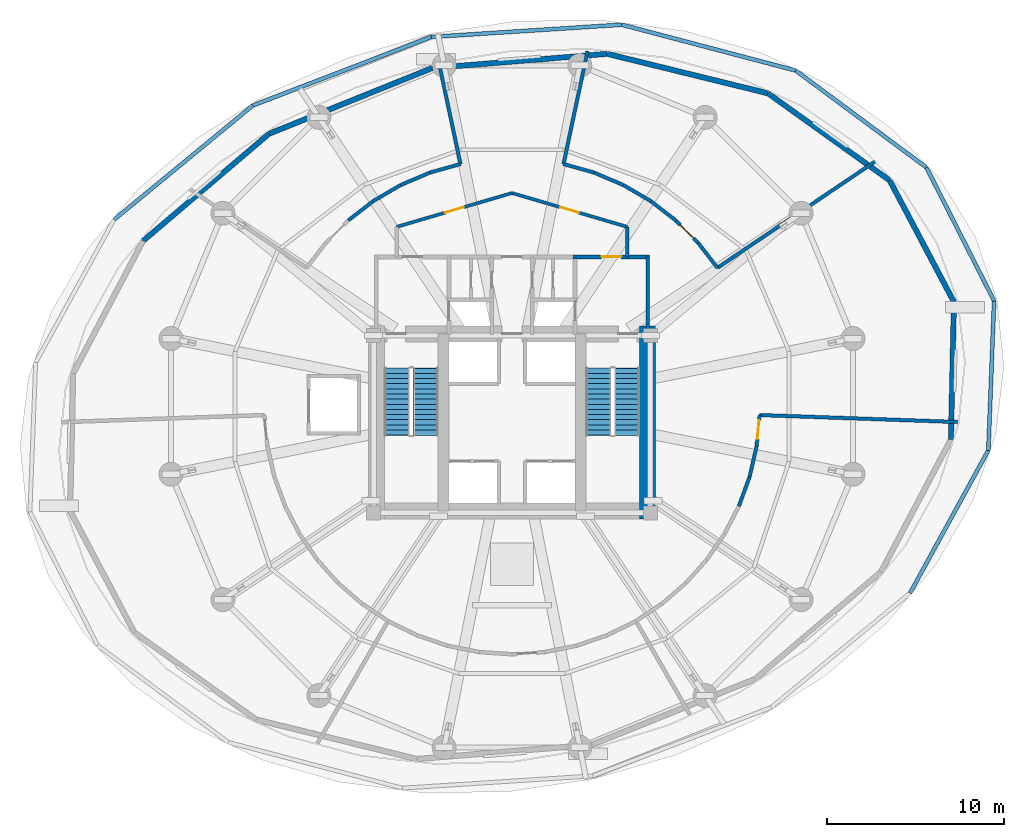
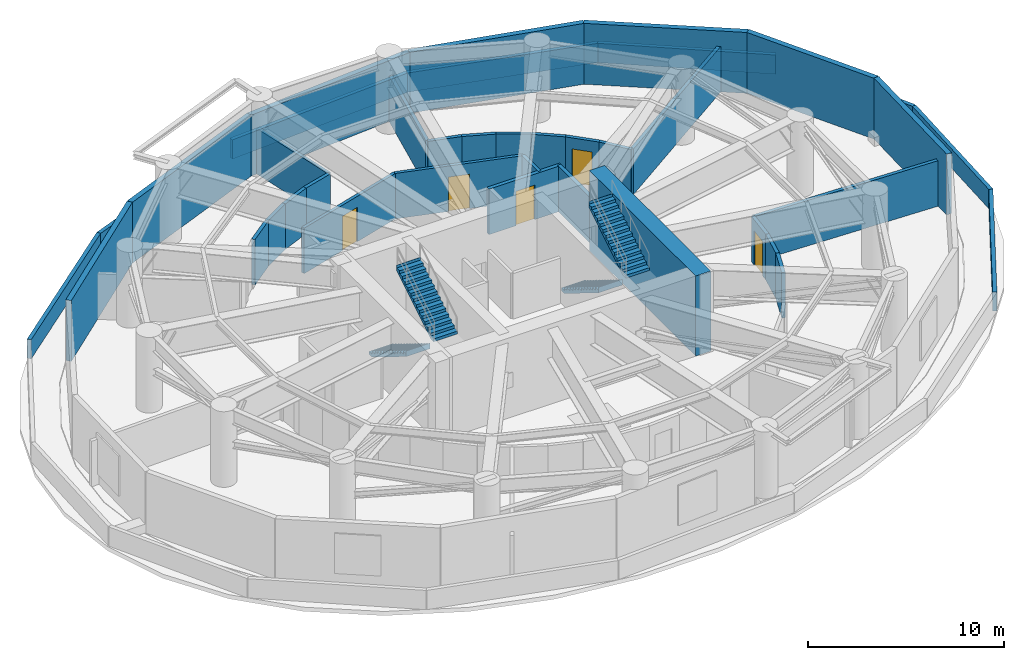
# One storey, part 5 of 8: 38 walls, 5 doors, 4 stair flights, 5 openings, 2 elements without a shape of their own.
"""IFC4 building model written with IfcOpenShell, lengths in metres."""

from ifc_helpers import new_model, si_unit, direction, frame, frame_2d, origin, place, context, subcontext, project, spatial, polyline, rectangle, outline, extrude, material, layer, layer_set, type_object, element, fill, aggregate, save


model = new_model("IFC4")

# Units and contexts
model_context = context("Model", 3, precision=1e-05, world=origin(), true_north=direction((0.0, 1.0)))
body_context = subcontext(model_context, "Body", "Model", "MODEL_VIEW")
ifc_project = project(units=[si_unit("LENGTHUNIT", "METRE"), si_unit("AREAUNIT", "SQUARE_METRE"), si_unit("VOLUMEUNIT", "CUBIC_METRE"), si_unit("PLANEANGLEUNIT", "RADIAN"), si_unit("MASSUNIT", "GRAM", prefix="KILO"), si_unit("THERMODYNAMICTEMPERATUREUNIT", "KELVIN"), si_unit("POWERUNIT", "WATT")], contexts=[model_context])

# Site, building, storey
site_placement = place(None, origin())
site = spatial("IfcSite", under=ifc_project, at=site_placement, CompositionType="ELEMENT")
building_placement = place(site_placement, origin())
building = spatial("IfcBuilding", under=site, at=building_placement, Name="Ocrelia Relay Tower", CompositionType="ELEMENT")
storey_placement = place(building_placement, frame((0.0, 0.0, 88.800048828125)))
storey = spatial("IfcBuildingStorey", under=building, at=storey_placement, Name="L20", CompositionType="ELEMENT", Elevation=88.800048828125)

# Walls
ifc_material_1 = material(Name="Concrete C70/85", Category="concrete")
ifc_layer_1 = layer(ifc_material_1, 0.89990234375, Name="Concrete C70/85")
ifc_layer_set_1 = layer_set([ifc_layer_1], Name="Concrete C70/85")
wall_type_1 = type_object("IfcWallType", Name="CW-CORE-900", PredefinedType="SHEAR", material=ifc_layer_set_1)
wall_1_placement = place(storey_placement, frame((41.637939453125, 19.662109375, 0.0), z_axis=(0.0, 0.0, 1.0), x_axis=(0.0, 1.0, 0.0)))
element("IfcWall", 1, at=wall_1_placement, inside=storey, type_object=wall_type_1, Name="L20 Core Shear Wall E", PredefinedType="SHEAR", context=body_context, shape_type="SweptSolid", body=[
    extrude(rectangle(XDim=10.8759765625, YDim=0.89990234375, at=frame_2d((5.43798828125, 0.0))), origin(), (0.0, 0.0, 1.0), 5.0),
])
ifc_material_2 = material(Name="Gypsum Fireboard Partition EI60", Category="gypsum")
ifc_layer_2 = layer(ifc_material_2, 0.179931640625, Name="Gypsum Fireboard Partition EI60")
ifc_layer_set_2 = layer_set([ifc_layer_2], Name="Gypsum Fireboard Partition EI60")
wall_type_2 = type_object("IfcWallType", Name="W-CORR-EI60-180", PredefinedType="PARTITIONING", material=ifc_layer_set_2)
wall_2_placement = place(storey_placement, frame((40.5, 36.122802734375, 0.0), z_axis=(0.0, 0.0, 1.0), x_axis=(0.0, -1.0, 0.0)))
element("IfcWall", 2, at=wall_2_placement, inside=storey, type_object=wall_type_2, Name="L20 Smoke Lobby East Return", PredefinedType="PARTITIONING", context=body_context, shape_type="SweptSolid", body=[
    extrude(rectangle(XDim=1.69287109375, YDim=0.179931640625, at=frame_2d((0.846435546875, 0.0))), origin(), (0.0, 0.0, 1.0), 2.83984375),
])

# Wall, opening, door
wall_3_placement = place(storey_placement, frame((27.5, 36.122802734375, 0.0), z_axis=(0.0, 0.0, 1.0), x_axis=(0.959546654541, 0.281549671923, 0.0)))
wall_3 = element("IfcWall", 3, at=wall_3_placement, inside=storey, type_object=wall_type_2, Name="L20 North Smoke Lobby W Screen Wall", PredefinedType="PARTITIONING", context=body_context, shape_type="SweptSolid", body=[
    extrude(rectangle(XDim=6.77392578125, YDim=0.179931640625, at=frame_2d((3.386962890625, 0.0))), origin(), (0.0, 0.0, 1.0), 2.83984375),
])
opening_1_placement = place(wall_3_placement, frame((2.8369140625, 0.0, 0.0)))
opening_1 = element("IfcOpeningElement", 4, at=opening_1_placement, cuts=wall_3, Name="Opening D-FD60", PredefinedType="OPENING", context=body_context, shape_type="SweptSolid", body=[
    extrude(rectangle(XDim=1.10009765625, YDim=2.14990234375, at=frame_2d((0.550048828125, 1.074951171875))), frame((0.0, 0.10009765625, 0.0), z_axis=(0.0, -1.0, 0.0), x_axis=(1.0, 0.0, 0.0)), (0.0, 0.0, 1.0), 0.199951171875),
])
ifc_material_3 = material(Name="Timber-core 60-min acoustic fire door", Category="wood")
door_type_1 = type_object("IfcDoorType", Name="DR-LOBBY-FD60-1100", OperationType="NOTDEFINED", PredefinedType="DOOR", material=ifc_material_3)
door_1_placement = place(opening_1_placement, origin())
door_1 = element("IfcDoor", 5, at=door_1_placement, inside=storey, type_object=door_type_1, Name="L20 North Smoke Lobby W Fire Door", OperationType="SINGLE_SWING_RIGHT", OverallHeight=2.14990234375, OverallWidth=1.10009765625, PredefinedType="DOOR", context=body_context, shape_type="SweptSolid", body=[
    extrude(rectangle(XDim=1.10009765625, YDim=2.14990234375, at=frame_2d((0.550048828125, 1.074951171875))), frame((0.0, 0.02490234375, 0.0), z_axis=(0.0, -1.0, 0.0), x_axis=(1.0, 0.0, 0.0)), (0.0, 0.0, 1.0), 0.050048828125),
])
fill(opening_1, door_1)

wall_4_placement = place(storey_placement, frame((34.0, 38.030029296875, 0.0), z_axis=(0.0, 0.0, 1.0), x_axis=(0.959546654541, -0.281549671923, 0.0)))
wall_4 = element("IfcWall", 6, at=wall_4_placement, inside=storey, type_object=wall_type_2, Name="L20 North Smoke Lobby E Screen Wall", PredefinedType="PARTITIONING", context=body_context, shape_type="SweptSolid", body=[
    extrude(rectangle(XDim=6.77392578125, YDim=0.179931640625, at=frame_2d((3.386962890625, 0.0))), origin(), (0.0, 0.0, 1.0), 2.83984375),
])
opening_2_placement = place(wall_4_placement, frame((2.8369140625, 0.0, 0.0)))
opening_2 = element("IfcOpeningElement", 7, at=opening_2_placement, cuts=wall_4, Name="Opening D-FD60", PredefinedType="OPENING", context=body_context, shape_type="SweptSolid", body=[
    extrude(rectangle(XDim=1.10009765625, YDim=2.14990234375, at=frame_2d((0.550048828125, 1.074951171875))), frame((0.0, 0.10009765625, 0.0), z_axis=(0.0, -1.0, 0.0), x_axis=(1.0, 0.0, 0.0)), (0.0, 0.0, 1.0), 0.199951171875),
])
door_2_placement = place(opening_2_placement, origin())
door_2 = element("IfcDoor", 8, at=door_2_placement, inside=storey, type_object=door_type_1, Name="L20 North Smoke Lobby E Fire Door", OperationType="SINGLE_SWING_LEFT", OverallHeight=2.14990234375, OverallWidth=1.10009765625, PredefinedType="DOOR", context=body_context, shape_type="SweptSolid", body=[
    extrude(rectangle(XDim=1.10009765625, YDim=2.14990234375, at=frame_2d((0.550048828125, 1.074951171875))), frame((0.0, 0.02490234375, 0.0), z_axis=(0.0, -1.0, 0.0), x_axis=(1.0, 0.0, 0.0)), (0.0, 0.0, 1.0), 0.050048828125),
])
fill(opening_2, door_2)

# Walls
ifc_material_4 = material(Name="Precast concrete C40/50 with oxide terracotta", Category="masonry")
ifc_layer_3 = layer(ifc_material_4, 0.300048828125, Name="Precast concrete C40/50 with oxide terracotta")
ifc_layer_set_3 = layer_set([ifc_layer_3], Name="Precast concrete C40/50 with oxide terracotta")
wall_type_3 = type_object("IfcWallType", Name="W-EXT-TERR-300", PredefinedType="SOLIDWALL", material=ifc_layer_set_3)
wall_5_placement = place(storey_placement, frame((58.913330078125, 31.889404296875, 0.0), z_axis=(0.0, 0.0, 1.0), x_axis=(-0.46736220169, 0.884065932175, 0.0)))
element("IfcWall", 9, at=wall_5_placement, inside=storey, type_object=wall_type_3, Name="L20 Plant Terracotta Wall 01", PredefinedType="SOLIDWALL", context=body_context, shape_type="SweptSolid", body=[
    extrude(rectangle(XDim=7.74951171875, YDim=0.300048828125, at=frame_2d((3.874755859375, 0.0))), origin(), (0.0, 0.0, 1.0), 3.800048828125),
])
wall_6_placement = place(storey_placement, frame((55.29150390625, 38.740478515625, 0.0), z_axis=(0.0, 0.0, 1.0), x_axis=(-0.813236717207, 0.581933021736, 0.0)))
element("IfcWall", 10, at=wall_6_placement, inside=storey, type_object=wall_type_3, Name="L20 Plant Terracotta Wall 02", PredefinedType="SOLIDWALL", context=body_context, shape_type="SweptSolid", body=[
    extrude(rectangle(XDim=8.439697265625, YDim=0.300048828125, at=frame_2d((4.2197265625, 0.0))), origin(), (0.0, 0.0, 1.0), 3.800048828125),
])
wall_7_placement = place(storey_placement, frame((48.427978515625, 43.65185546875, 0.0), z_axis=(0.0, 0.0, 1.0), x_axis=(-0.971157582667, 0.23843856573, 0.0)))
element("IfcWall", 11, at=wall_7_placement, inside=storey, type_object=wall_type_3, Name="L20 Plant Terracotta Wall 03", PredefinedType="SOLIDWALL", context=body_context, shape_type="SweptSolid", body=[
    extrude(rectangle(XDim=9.328857421875, YDim=0.300048828125, at=frame_2d((4.66455078125, 0.0))), origin(), (0.0, 0.0, 1.0), 3.800048828125),
])
for number, where, z_axis, x_axis, name in (
    (12, (39.3681640625, 45.876220703125, 0.0), (0.0, 0.0, 1.0), (-0.996719708912, -0.080930969765, 0.0), "L20 Plant Terracotta Wall 04"),
    (13, (29.490966796875, 45.07421875, 0.0), (0.0, 0.0, 1.0), (-0.92745373758, -0.3739379155, 0.0), "L20 Plant Terracotta Wall 05"),
):
    element("IfcWall", number, at=place(storey_placement, frame(where, z_axis=z_axis, x_axis=x_axis)), inside=storey, type_object=wall_type_3, Name=name, PredefinedType="SOLIDWALL", context=body_context, shape_type="SweptSolid", body=[
        extrude(rectangle(XDim=9.90966796875, YDim=0.300048828125, at=frame_2d((4.954833984375, 0.0))), origin(), (0.0, 0.0, 1.0), 3.800048828125),
    ])
wall_8_placement = place(storey_placement, frame((20.30029296875, 41.36865234375, 0.0), z_axis=(0.0, 0.0, 1.0), x_axis=(-0.761612488975, -0.64803272806, 0.0)))
element("IfcWall", 14, at=wall_8_placement, inside=storey, type_object=wall_type_3, Name="L20 Plant Terracotta Wall 06", PredefinedType="SOLIDWALL", context=body_context, shape_type="SweptSolid", body=[
    extrude(rectangle(XDim=9.328857421875, YDim=0.300048828125, at=frame_2d((4.66455078125, 0.0))), origin(), (0.0, 0.0, 1.0), 3.800048828125),
])
wall_9_placement = place(storey_placement, frame((58.742431640625, 24.1416015625, 0.0), z_axis=(0.0, 0.0, 1.0), x_axis=(0.022052301021, 0.999756818441, 0.0)))
element("IfcWall", 15, at=wall_9_placement, inside=storey, type_object=wall_type_3, Name="L20 Plant Terracotta Wall 16", PredefinedType="SOLIDWALL", context=body_context, shape_type="SweptSolid", body=[
    extrude(rectangle(XDim=7.749755859375, YDim=0.300048828125, at=frame_2d((3.875, 0.0))), origin(), (0.0, 0.0, 1.0), 3.800048828125),
])
ifc_material_5 = material(Name="Concrete C50/60", Category="concrete")
ifc_layer_4 = layer(ifc_material_5, 0.219970703125, Name="Concrete C50/60")
ifc_layer_set_4 = layer_set([ifc_layer_4], Name="Concrete C50/60")
wall_type_4 = type_object("IfcWallType", Name="W-FFL-EI120-220", PredefinedType="SOLIDWALL", material=ifc_layer_set_4)
wall_10_placement = place(storey_placement, frame((41.64990234375, 30.050048828125, 0.0), z_axis=(0.0, 0.0, 1.0), x_axis=(0.0, 1.0, 0.0)))
element("IfcWall", 16, at=wall_10_placement, inside=storey, type_object=wall_type_4, Name="L20 E Fire Service Lift Lobby East Wall", PredefinedType="SOLIDWALL", context=body_context, shape_type="SweptSolid", body=[
    extrude(rectangle(XDim=4.3798828125, YDim=0.219970703125, at=frame_2d((2.18994140625, 0.0))), origin(), (0.0, 0.0, 1.0), 2.83984375),
])

# Wall, opening, door
wall_11_placement = place(storey_placement, frame((37.449951171875, 34.429931640625, 0.0), z_axis=(0.0, 0.0, 1.0), x_axis=(1.0, 0.0, 0.0)))
wall_11 = element("IfcWall", 17, at=wall_11_placement, inside=storey, type_object=wall_type_4, Name="L20 E Fire Service Lift Lobby North Wall", PredefinedType="SOLIDWALL", context=body_context, shape_type="SweptSolid", body=[
    extrude(rectangle(XDim=4.31005859375, YDim=0.219970703125, at=frame_2d((2.155029296875, 0.0))), origin(), (0.0, 0.0, 1.0), 2.83984375),
])
opening_3_placement = place(wall_11_placement, frame((1.60009765625, 0.0, 0.0)))
opening_3 = element("IfcOpeningElement", 18, at=opening_3_placement, cuts=wall_11, Name="Opening D-FD60", PredefinedType="OPENING", context=body_context, shape_type="SweptSolid", body=[
    extrude(rectangle(XDim=1.10009765625, YDim=2.14990234375, at=frame_2d((0.550048828125, 1.074951171875))), frame((0.0, 0.1201171875, 0.0), z_axis=(0.0, -1.0, 0.0), x_axis=(1.0, 0.0, 0.0)), (0.0, 0.0, 1.0), 0.239990234375),
])
door_3_placement = place(opening_3_placement, origin())
door_3 = element("IfcDoor", 19, at=door_3_placement, inside=storey, type_object=door_type_1, Name="L20 E Fire Service Lift Lobby Exit Door", OperationType="SINGLE_SWING_LEFT", OverallHeight=2.14990234375, OverallWidth=1.10009765625, PredefinedType="DOOR", context=body_context, shape_type="SweptSolid", body=[
    extrude(rectangle(XDim=1.10009765625, YDim=2.14990234375, at=frame_2d((0.550048828125, 1.074951171875))), frame((0.0, 0.02490234375, 0.0), z_axis=(0.0, -1.0, 0.0), x_axis=(1.0, 0.0, 0.0)), (0.0, 0.0, 1.0), 0.050048828125),
])
fill(opening_3, door_3)

# Walls
ifc_layer_5 = layer(ifc_material_4, 0.219970703125, Name="Precast concrete C40/50 with oxide terracotta")
ifc_layer_set_5 = layer_set([ifc_layer_5], Name="Precast concrete C40/50 with oxide terracotta")
wall_type_5 = type_object("IfcWallType", Name="W-PARAPET-220", PredefinedType="PARAPET", material=ifc_layer_set_5)
wall_12_placement = place(storey_placement, frame((61.17626953125, 31.9501953125, 0.0), z_axis=(0.0, 0.0, 1.0), x_axis=(-0.45244257473, 0.891793539207, 0.0)))
element("IfcWall", 20, at=wall_12_placement, inside=storey, type_object=wall_type_5, Name="L20 Setback Green Roof Parapet 01", PredefinedType="PARAPET", context=body_context, shape_type="SweptSolid", body=[
    extrude(rectangle(XDim=8.42919921875, YDim=0.219970703125, at=frame_2d((4.214599609375, 0.0))), origin(), (0.0, 0.0, 1.0), 1.199951171875),
])
wall_13_placement = place(storey_placement, frame((57.362548828125, 39.46728515625, 0.0), z_axis=(0.0, 0.0, 1.0), x_axis=(-0.803178103792, 0.595738981089, 0.0)))
element("IfcWall", 21, at=wall_13_placement, inside=storey, type_object=wall_type_5, Name="L20 Setback Green Roof Parapet 02", PredefinedType="PARAPET", context=body_context, shape_type="SweptSolid", body=[
    extrude(rectangle(XDim=9.176513671875, YDim=0.219970703125, at=frame_2d((4.58837890625, 0.0))), origin(), (0.0, 0.0, 1.0), 1.199951171875),
])
wall_14_placement = place(storey_placement, frame((49.9921875, 44.93408203125, 0.0), z_axis=(0.0, 0.0, 1.0), x_axis=(-0.966979346958, 0.254854747959, 0.0)))
element("IfcWall", 22, at=wall_14_placement, inside=storey, type_object=wall_type_5, Name="L20 Setback Green Roof Parapet 03", PredefinedType="PARAPET", context=body_context, shape_type="SweptSolid", body=[
    extrude(rectangle(XDim=10.139892578125, YDim=0.219970703125, at=frame_2d((5.06982421875, 0.0))), origin(), (0.0, 0.0, 1.0), 1.199951171875),
])
wall_15_placement = place(storey_placement, frame((40.18701171875, 47.518310546875, 0.0), z_axis=(0.0, 0.0, 1.0), x_axis=(-0.997935492104, -0.064224244642, 0.0)))
element("IfcWall", 23, at=wall_15_placement, inside=storey, type_object=wall_type_5, Name="L20 Setback Green Roof Parapet 04", PredefinedType="PARAPET", context=body_context, shape_type="SweptSolid", body=[
    extrude(rectangle(XDim=10.769287109375, YDim=0.219970703125, at=frame_2d((5.384765625, 0.0))), origin(), (0.0, 0.0, 1.0), 1.199951171875),
])
wall_16_placement = place(storey_placement, frame((29.43994140625, 46.82666015625, 0.0), z_axis=(0.0, 0.0, 1.0), x_axis=(-0.933474089554, -0.358644844005, 0.0)))
element("IfcWall", 24, at=wall_16_placement, inside=storey, type_object=wall_type_5, Name="L20 Setback Green Roof Parapet 05", PredefinedType="PARAPET", context=body_context, shape_type="SweptSolid", body=[
    extrude(rectangle(XDim=10.76904296875, YDim=0.219970703125, at=frame_2d((5.384521484375, 0.0))), origin(), (0.0, 0.0, 1.0), 1.199951171875),
])
wall_17_placement = place(storey_placement, frame((19.38720703125, 42.96435546875, 0.0), z_axis=(0.0, 0.0, 1.0), x_axis=(-0.772008765816, -0.635611882758, 0.0)))
element("IfcWall", 25, at=wall_17_placement, inside=storey, type_object=wall_type_5, Name="L20 Setback Green Roof Parapet 06", PredefinedType="PARAPET", context=body_context, shape_type="SweptSolid", body=[
    extrude(rectangle(XDim=10.139892578125, YDim=0.219970703125, at=frame_2d((5.06982421875, 0.0))), origin(), (0.0, 0.0, 1.0), 1.199951171875),
])
wall_18_placement = place(storey_placement, frame((56.44091796875, 15.480712890625, 0.0), z_axis=(0.0, 0.0, 1.0), x_axis=(0.480744856235, 0.876860526654, 0.0)))
element("IfcWall", 26, at=wall_18_placement, inside=storey, type_object=wall_type_5, Name="L20 Setback Green Roof Parapet 15", PredefinedType="PARAPET", context=body_context, shape_type="SweptSolid", body=[
    extrude(rectangle(XDim=9.1767578125, YDim=0.219970703125, at=frame_2d((4.58837890625, 0.0))), origin(), (0.0, 0.0, 1.0), 1.199951171875),
])
wall_19_placement = place(storey_placement, frame((60.8525390625, 23.52734375, 0.0), z_axis=(0.0, 0.0, 1.0), x_axis=(0.038406425467, 0.999262201068, 0.0)))
element("IfcWall", 27, at=wall_19_placement, inside=storey, type_object=wall_type_5, Name="L20 Setback Green Roof Parapet 16", PredefinedType="PARAPET", context=body_context, shape_type="SweptSolid", body=[
    extrude(rectangle(XDim=8.428955078125, YDim=0.219970703125, at=frame_2d((4.21435546875, 0.0))), origin(), (0.0, 0.0, 1.0), 1.199951171875),
])
ifc_layer_6 = layer(ifc_material_5, 0.199951171875, Name="Concrete C50/60")
ifc_layer_set_6 = layer_set([ifc_layer_6], Name="Concrete C50/60")
wall_type_6 = type_object("IfcWallType", Name="W-SHAFT-EI120-200", PredefinedType="SOLIDWALL", material=ifc_layer_set_6)
wall_20_placement = place(storey_placement, frame((24.773681640625, 36.48974609375, 0.0), z_axis=(0.0, 0.0, 1.0), x_axis=(0.791510311229, 0.611155812554, 0.0)))
element("IfcWall", 28, at=wall_20_placement, inside=storey, type_object=wall_type_6, Name="L20 West Area of Refuge Inner Wall 9", PredefinedType="SOLIDWALL", context=body_context, shape_type="SweptSolid", body=[
    extrude(rectangle(XDim=1.786865234375, YDim=0.199951171875, at=frame_2d((0.8935546875, 0.0))), origin(), (0.0, 0.0, 1.0), 2.83984375),
])
wall_21_placement = place(storey_placement, frame((26.18798828125, 37.581787109375, 0.0), z_axis=(0.0, 0.0, 1.0), x_axis=(0.863178614226, 0.50489868285, 0.0)))
element("IfcWall", 29, at=wall_21_placement, inside=storey, type_object=wall_type_6, Name="L20 West Area of Refuge Inner Wall 10", PredefinedType="SOLIDWALL", context=body_context, shape_type="SweptSolid", body=[
    extrude(rectangle(XDim=1.78662109375, YDim=0.199951171875, at=frame_2d((0.893310546875, 0.0))), origin(), (0.0, 0.0, 1.0), 2.83984375),
])
for number, where, z_axis, x_axis, name in (
    (30, (27.730224609375, 38.48388671875, 0.0), (0.0, 0.0, 1.0), (0.920489463147, 0.390767383791, 0.0), "L20 West Area of Refuge Inner Wall 11"),
    (31, (29.375, 39.18212890625, 0.0), (0.0, 0.0, 1.0), (0.962827672802, 0.270116405439, 0.0), "L20 West Area of Refuge Inner Wall 12"),
):
    element("IfcWall", number, at=place(storey_placement, frame(where, z_axis=z_axis, x_axis=x_axis)), inside=storey, type_object=wall_type_6, Name=name, PredefinedType="SOLIDWALL", context=body_context, shape_type="SweptSolid", body=[
        extrude(rectangle(XDim=1.786865234375, YDim=0.199951171875, at=frame_2d((0.8935546875, 0.0))), origin(), (0.0, 0.0, 1.0), 2.83984375),
    ])
wall_22_placement = place(storey_placement, frame((31.095458984375, 39.664794921875, 0.0), z_axis=(0.0, 0.0, 1.0), x_axis=(-0.207898093326, 0.978150490871, 0.0)))
element("IfcWall", 32, at=wall_22_placement, inside=storey, type_object=wall_type_6, Name="L20 West Area of Refuge Radial Wall R0", PredefinedType="SOLIDWALL", context=body_context, shape_type="SweptSolid", body=[
    extrude(rectangle(XDim=5.715576171875, YDim=0.199951171875, at=frame_2d((2.85791015625, 0.0))), origin(), (0.0, 0.0, 1.0), 2.83984375),
])
for number, where, z_axis, x_axis, name in (
    (33, (36.904541015625, 39.664794921875, 0.0), (0.0, 0.0, 1.0), (0.962827672802, -0.270116405439, 0.0), "L20 East Area of Refuge Inner Wall 7"),
    (34, (38.625, 39.18212890625, 0.0), (0.0, 0.0, 1.0), (0.920489463147, -0.390767383791, 0.0), "L20 East Area of Refuge Inner Wall 8"),
):
    element("IfcWall", number, at=place(storey_placement, frame(where, z_axis=z_axis, x_axis=x_axis)), inside=storey, type_object=wall_type_6, Name=name, PredefinedType="SOLIDWALL", context=body_context, shape_type="SweptSolid", body=[
        extrude(rectangle(XDim=1.786865234375, YDim=0.199951171875, at=frame_2d((0.8935546875, 0.0))), origin(), (0.0, 0.0, 1.0), 2.83984375),
    ])
wall_23_placement = place(storey_placement, frame((40.269775390625, 38.48388671875, 0.0), z_axis=(0.0, 0.0, 1.0), x_axis=(0.863178614226, -0.50489868285, 0.0)))
element("IfcWall", 35, at=wall_23_placement, inside=storey, type_object=wall_type_6, Name="L20 East Area of Refuge Inner Wall 9", PredefinedType="SOLIDWALL", context=body_context, shape_type="SweptSolid", body=[
    extrude(rectangle(XDim=1.78662109375, YDim=0.199951171875, at=frame_2d((0.893310546875, 0.0))), origin(), (0.0, 0.0, 1.0), 2.83984375),
])
wall_24_placement = place(storey_placement, frame((41.81201171875, 37.581787109375, 0.0), z_axis=(0.0, 0.0, 1.0), x_axis=(0.791510311229, -0.611155812554, 0.0)))
element("IfcWall", 36, at=wall_24_placement, inside=storey, type_object=wall_type_6, Name="L20 East Area of Refuge Inner Wall 10", PredefinedType="SOLIDWALL", context=body_context, shape_type="SweptSolid", body=[
    extrude(rectangle(XDim=1.786865234375, YDim=0.199951171875, at=frame_2d((0.8935546875, 0.0))), origin(), (0.0, 0.0, 1.0), 2.83984375),
])

# Wall, opening, door
wall_25_placement = place(storey_placement, frame((43.226318359375, 36.48974609375, 0.0), z_axis=(0.0, 0.0, 1.0), x_axis=(0.707106781187, -0.707106781187, 0.0)))
wall_25 = element("IfcWall", 37, at=wall_25_placement, inside=storey, type_object=wall_type_6, Name="L20 East Area of Refuge Inner Wall 11", PredefinedType="SOLIDWALL", context=body_context, shape_type="SweptSolid", body=[
    extrude(rectangle(XDim=1.786865234375, YDim=0.199951171875, at=frame_2d((0.8935546875, 0.0))), origin(), (0.0, 0.0, 1.0), 2.83984375),
])
opening_4_placement = place(wall_25_placement, frame((0.368408203125, 0.0, 0.0)))
opening_4 = element("IfcOpeningElement", 38, at=opening_4_placement, cuts=wall_25, Name="Opening D-FD90", PredefinedType="OPENING", context=body_context, shape_type="SweptSolid", body=[
    extrude(rectangle(XDim=1.050048828125, YDim=2.14990234375, at=frame_2d((0.52490234375, 1.074951171875))), frame((0.0, 0.10986328125, 0.0), z_axis=(0.0, -1.0, 0.0), x_axis=(1.0, 0.0, 0.0)), (0.0, 0.0, 1.0), 0.219970703125),
])
ifc_material_6 = material(Name="Steel S355 90-min fire door", Category="steel")
door_type_2 = type_object("IfcDoorType", Name="DR-STAIR-FD90-1050", OperationType="NOTDEFINED", PredefinedType="DOOR", material=ifc_material_6)
door_4_placement = place(opening_4_placement, origin())
door_4 = element("IfcDoor", 39, at=door_4_placement, inside=storey, type_object=door_type_2, Name="L20 East Area of Refuge Fire Door", OperationType="SINGLE_SWING_LEFT", OverallHeight=2.14990234375, OverallWidth=1.050048828125, PredefinedType="DOOR", context=body_context, shape_type="SweptSolid", body=[
    extrude(rectangle(XDim=1.050048828125, YDim=2.14990234375, at=frame_2d((0.52490234375, 1.074951171875))), frame((0.0, 0.02490234375, 0.0), z_axis=(0.0, -1.0, 0.0), x_axis=(1.0, 0.0, 0.0)), (0.0, 0.0, 1.0), 0.050048828125),
])
fill(opening_4, door_4)

# Walls
wall_26_placement = place(storey_placement, frame((44.48974609375, 35.226318359375, 0.0), z_axis=(0.0, 0.0, 1.0), x_axis=(0.611155812554, -0.791510311229, 0.0)))
element("IfcWall", 40, at=wall_26_placement, inside=storey, type_object=wall_type_6, Name="L20 East Area of Refuge Inner Wall 12", PredefinedType="SOLIDWALL", context=body_context, shape_type="SweptSolid", body=[
    extrude(rectangle(XDim=1.786865234375, YDim=0.199951171875, at=frame_2d((0.8935546875, 0.0))), origin(), (0.0, 0.0, 1.0), 2.83984375),
])
wall_27_placement = place(storey_placement, frame((45.581787109375, 33.81201171875, 0.0), z_axis=(0.0, 0.0, 1.0), x_axis=(0.829025681689, 0.559210532001, 0.0)))
element("IfcWall", 41, at=wall_27_placement, inside=storey, type_object=wall_type_6, Name="L20 East Area of Refuge Radial Wall R0", PredefinedType="SOLIDWALL", context=body_context, shape_type="SweptSolid", body=[
    extrude(rectangle(XDim=10.710693359375, YDim=0.199951171875, at=frame_2d((5.35546875, 0.0))), origin(), (0.0, 0.0, 1.0), 2.83984375),
])
wall_28_placement = place(storey_placement, frame((36.904541015625, 39.664794921875, 0.0), z_axis=(0.0, 0.0, 1.0), x_axis=(0.207914403143, 0.978147024207, 0.0)))
element("IfcWall", 42, at=wall_28_placement, inside=storey, type_object=wall_type_6, Name="L20 East Area of Refuge Radial Wall R1", PredefinedType="SOLIDWALL", context=body_context, shape_type="SweptSolid", body=[
    extrude(rectangle(XDim=6.50634765625, YDim=0.199951171875, at=frame_2d((3.253173828125, 0.0))), origin(), (0.0, 0.0, 1.0), 2.83984375),
])

# Wall, opening, door
wall_29_placement = place(storey_placement, frame((47.96142578125, 25.512451171875, 0.0), z_axis=(0.0, 0.0, 1.0), x_axis=(-0.09798475659, -0.99518791566, 0.0)))
wall_29 = element("IfcWall", 43, at=wall_29_placement, inside=storey, type_object=wall_type_6, Name="L20 Electrical Switchgear Plant Room Inner Wall 9", PredefinedType="SOLIDWALL", context=body_context, shape_type="SweptSolid", body=[
    extrude(rectangle(XDim=1.7666015625, YDim=0.199951171875, at=frame_2d((0.88330078125, 0.0))), origin(), (0.0, 0.0, 1.0), 2.83984375),
])
opening_5_placement = place(wall_29_placement, frame((0.30419921875, 0.0, 0.0)))
opening_5 = element("IfcOpeningElement", 44, at=opening_5_placement, cuts=wall_29, Name="Opening D-FD90", PredefinedType="OPENING", context=body_context, shape_type="SweptSolid", body=[
    extrude(rectangle(XDim=1.050048828125, YDim=2.14990234375, at=frame_2d((0.52490234375, 1.074951171875))), frame((0.0, 0.10986328125, 0.0), z_axis=(0.0, -1.0, 0.0), x_axis=(1.0, 0.0, 0.0)), (0.0, 0.0, 1.0), 0.219970703125),
])
door_5_placement = place(opening_5_placement, origin())
door_5 = element("IfcDoor", 45, at=door_5_placement, inside=storey, type_object=door_type_2, Name="L20 Electrical Switchgear Plant Room Fire Door", OperationType="SINGLE_SWING_RIGHT", OverallHeight=2.14990234375, OverallWidth=1.050048828125, PredefinedType="DOOR", context=body_context, shape_type="SweptSolid", body=[
    extrude(rectangle(XDim=1.050048828125, YDim=2.14990234375, at=frame_2d((0.52490234375, 1.074951171875))), frame((0.0, 0.02490234375, 0.0), z_axis=(0.0, -1.0, 0.0), x_axis=(1.0, 0.0, 0.0)), (0.0, 0.0, 1.0), 0.050048828125),
])
fill(opening_5, door_5)

# Walls
for number, where, z_axis, x_axis, name in (
    (46, (47.788330078125, 23.75439453125, 0.0), (0.0, 0.0, 1.0), (-0.222779770731, -0.974868798225, 0.0), "L20 Electrical Switchgear Plant Room Inner Wall 10"),
    (47, (47.394775390625, 22.0322265625, 0.0), (0.0, 0.0, 1.0), (-0.344116581363, -0.938926929229, 0.0), "L20 Electrical Switchgear Plant Room Inner Wall 11"),
):
    element("IfcWall", number, at=place(storey_placement, frame(where, z_axis=z_axis, x_axis=x_axis)), inside=storey, type_object=wall_type_6, Name=name, PredefinedType="SOLIDWALL", context=body_context, shape_type="SweptSolid", body=[
        extrude(rectangle(XDim=1.7666015625, YDim=0.199951171875, at=frame_2d((0.88330078125, 0.0))), origin(), (0.0, 0.0, 1.0), 2.83984375),
    ])
wall_30_placement = place(storey_placement, frame((47.96142578125, 25.512451171875, 0.0), z_axis=(0.0, 0.0, 1.0), x_axis=(0.999390584829, -0.034906431423, 0.0)))
element("IfcWall", 48, at=wall_30_placement, inside=storey, type_object=wall_type_6, Name="L20 Electrical Switchgear Plant Room Radial Wall R1", PredefinedType="SOLIDWALL", context=body_context, shape_type="SweptSolid", body=[
    extrude(rectangle(XDim=11.169677734375, YDim=0.199951171875, at=frame_2d((5.5849609375, 0.0))), origin(), (0.0, 0.0, 1.0), 2.83984375),
])

# Stair, stair flights
stair_type = type_object("IfcStairType", Name="ST-DL-1420-R179", PredefinedType="HALF_TURN_STAIR", material=ifc_material_5)
stair_1_placement = place(storey_placement, origin())
stair_1 = element("IfcStair", 49, at=stair_1_placement, inside=storey, type_object=stair_type, Name="L20 West Core Exit Stair ST1", PredefinedType="HALF_TURN_STAIR")
stair_flight_type = type_object("IfcStairFlightType", Name="STF-DL-1420-R179", PredefinedType="STRAIGHT", material=ifc_material_5)
stair_flight_1_placement = place(storey_placement, frame((27.52001953125, 28.14990234375, 0.0), z_axis=(0.0, 0.0, 1.0), x_axis=(0.0, -1.0, 0.0)))
stair_flight_1 = element("IfcStairFlight", 50, at=stair_flight_1_placement, type_object=stair_flight_type, Name="ST1 flight 1", NumberOfRisers=14, NumberOfTreads=13, PredefinedType="STRAIGHT", RiserHeight=0.178571429, TreadLength=0.29, context=body_context, shape_type="SweptSolid", body=[
    extrude(outline(polyline([(-0.008056640625, 0.0), (-0.008056640625, 0.178466796875), (0.0, 0.178466796875), (0.2900390625, 0.178466796875), (0.2900390625, 0.357177734375), (0.580078125, 0.357177734375), (0.580078125, 0.53564453125), (0.8701171875, 0.53564453125), (0.8701171875, 0.71435546875), (1.159912109375, 0.71435546875), (1.159912109375, 0.892822265625), (1.449951171875, 0.892822265625), (1.449951171875, 1.071533203125), (1.739990234375, 1.071533203125), (1.739990234375, 1.25), (2.030029296875, 1.25), (2.030029296875, 1.428466796875), (2.320068359375, 1.428466796875), (2.320068359375, 1.607177734375), (2.610107421875, 1.607177734375), (2.610107421875, 1.78564453125), (2.89990234375, 1.78564453125), (2.89990234375, 1.96435546875), (3.18994140625, 1.96435546875), (3.18994140625, 2.142822265625), (3.47998046875, 2.142822265625), (3.47998046875, 2.321533203125), (3.77001953125, 2.321533203125), (3.77001953125, 2.5), (3.778076171875, 2.5), (3.778076171875, 2.1455078125), (0.285888671875, 0.0), (-0.008056640625, 0.0)])), frame((0.0, 0.7099609375, 0.0), z_axis=(0.0, -1.0, 0.0), x_axis=(1.0, 0.0, 0.0)), (0.0, 0.0, 1.0), 1.419921875),
])
stair_flight_2_placement = place(storey_placement, frame((29.139892578125, 24.3798828125, 2.5), z_axis=(0.0, 0.0, 1.0), x_axis=(0.0, 1.0, 0.0)))
stair_flight_2 = element("IfcStairFlight", 51, at=stair_flight_2_placement, type_object=stair_flight_type, Name="ST1 flight 2", NumberOfRisers=14, NumberOfTreads=13, PredefinedType="STRAIGHT", RiserHeight=0.178571429, TreadLength=0.29, context=body_context, shape_type="SweptSolid", body=[
    extrude(outline(polyline([(-0.008056640625, 0.0), (-0.008056640625, 0.178466796875), (0.0, 0.178466796875), (0.2900390625, 0.178466796875), (0.2900390625, 0.357177734375), (0.580078125, 0.357177734375), (0.580078125, 0.53564453125), (0.8701171875, 0.53564453125), (0.8701171875, 0.71435546875), (1.159912109375, 0.71435546875), (1.159912109375, 0.892822265625), (1.449951171875, 0.892822265625), (1.449951171875, 1.071533203125), (1.739990234375, 1.071533203125), (1.739990234375, 1.25), (2.030029296875, 1.25), (2.030029296875, 1.428466796875), (2.320068359375, 1.428466796875), (2.320068359375, 1.607177734375), (2.610107421875, 1.607177734375), (2.610107421875, 1.78564453125), (2.89990234375, 1.78564453125), (2.89990234375, 1.96435546875), (3.18994140625, 1.96435546875), (3.18994140625, 2.142822265625), (3.47998046875, 2.142822265625), (3.47998046875, 2.321533203125), (3.77001953125, 2.321533203125), (3.77001953125, 2.5), (3.778076171875, 2.5), (3.778076171875, 2.1455078125), (0.285888671875, 0.0), (-0.008056640625, 0.0)])), frame((0.0, 0.7099609375, 0.0), z_axis=(0.0, -1.0, 0.0), x_axis=(1.0, 0.0, 0.0)), (0.0, 0.0, 1.0), 1.419921875),
])
aggregate(stair_1, [stair_flight_1, stair_flight_2])

stair_2_placement = place(storey_placement, origin())
stair_2 = element("IfcStair", 52, at=stair_2_placement, inside=storey, type_object=stair_type, Name="L20 East Core Exit Stair ST2", PredefinedType="HALF_TURN_STAIR")
stair_flight_3_placement = place(storey_placement, frame((38.8701171875, 28.14990234375, 0.0), z_axis=(0.0, 0.0, 1.0), x_axis=(0.0, -1.0, 0.0)))
stair_flight_3 = element("IfcStairFlight", 53, at=stair_flight_3_placement, type_object=stair_flight_type, Name="ST2 flight 1", NumberOfRisers=14, NumberOfTreads=13, PredefinedType="STRAIGHT", RiserHeight=0.178571429, TreadLength=0.29, context=body_context, shape_type="SweptSolid", body=[
    extrude(outline(polyline([(-0.008056640625, 0.0), (-0.008056640625, 0.178466796875), (0.0, 0.178466796875), (0.2900390625, 0.178466796875), (0.2900390625, 0.357177734375), (0.580078125, 0.357177734375), (0.580078125, 0.53564453125), (0.8701171875, 0.53564453125), (0.8701171875, 0.71435546875), (1.159912109375, 0.71435546875), (1.159912109375, 0.892822265625), (1.449951171875, 0.892822265625), (1.449951171875, 1.071533203125), (1.739990234375, 1.071533203125), (1.739990234375, 1.25), (2.030029296875, 1.25), (2.030029296875, 1.428466796875), (2.320068359375, 1.428466796875), (2.320068359375, 1.607177734375), (2.610107421875, 1.607177734375), (2.610107421875, 1.78564453125), (2.89990234375, 1.78564453125), (2.89990234375, 1.96435546875), (3.18994140625, 1.96435546875), (3.18994140625, 2.142822265625), (3.47998046875, 2.142822265625), (3.47998046875, 2.321533203125), (3.77001953125, 2.321533203125), (3.77001953125, 2.5), (3.778076171875, 2.5), (3.778076171875, 2.1455078125), (0.285888671875, 0.0), (-0.008056640625, 0.0)])), frame((0.0, 0.7099609375, 0.0), z_axis=(0.0, -1.0, 0.0), x_axis=(1.0, 0.0, 0.0)), (0.0, 0.0, 1.0), 1.419921875),
])
stair_flight_4_placement = place(storey_placement, frame((40.489990234375, 24.3798828125, 2.5), z_axis=(0.0, 0.0, 1.0), x_axis=(0.0, 1.0, 0.0)))
stair_flight_4 = element("IfcStairFlight", 54, at=stair_flight_4_placement, type_object=stair_flight_type, Name="ST2 flight 2", NumberOfRisers=14, NumberOfTreads=13, PredefinedType="STRAIGHT", RiserHeight=0.178571429, TreadLength=0.29, context=body_context, shape_type="SweptSolid", body=[
    extrude(outline(polyline([(-0.008056640625, 0.0), (-0.008056640625, 0.178466796875), (0.0, 0.178466796875), (0.2900390625, 0.178466796875), (0.2900390625, 0.357177734375), (0.580078125, 0.357177734375), (0.580078125, 0.53564453125), (0.8701171875, 0.53564453125), (0.8701171875, 0.71435546875), (1.159912109375, 0.71435546875), (1.159912109375, 0.892822265625), (1.449951171875, 0.892822265625), (1.449951171875, 1.071533203125), (1.739990234375, 1.071533203125), (1.739990234375, 1.25), (2.030029296875, 1.25), (2.030029296875, 1.428466796875), (2.320068359375, 1.428466796875), (2.320068359375, 1.607177734375), (2.610107421875, 1.607177734375), (2.610107421875, 1.78564453125), (2.89990234375, 1.78564453125), (2.89990234375, 1.96435546875), (3.18994140625, 1.96435546875), (3.18994140625, 2.142822265625), (3.47998046875, 2.142822265625), (3.47998046875, 2.321533203125), (3.77001953125, 2.321533203125), (3.77001953125, 2.5), (3.778076171875, 2.5), (3.778076171875, 2.1455078125), (0.285888671875, 0.0), (-0.008056640625, 0.0)])), frame((0.0, 0.7099609375, 0.0), z_axis=(0.0, -1.0, 0.0), x_axis=(1.0, 0.0, 0.0)), (0.0, 0.0, 1.0), 1.419921875),
])
aggregate(stair_2, [stair_flight_3, stair_flight_4])

save(model, "model.ifc")
